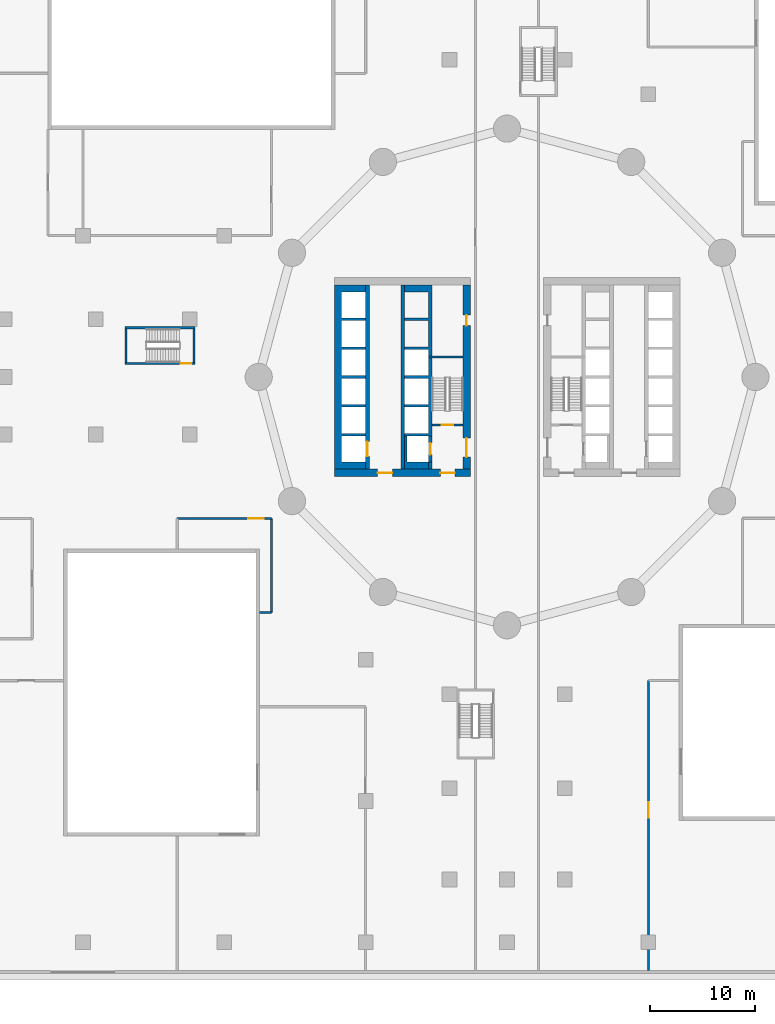
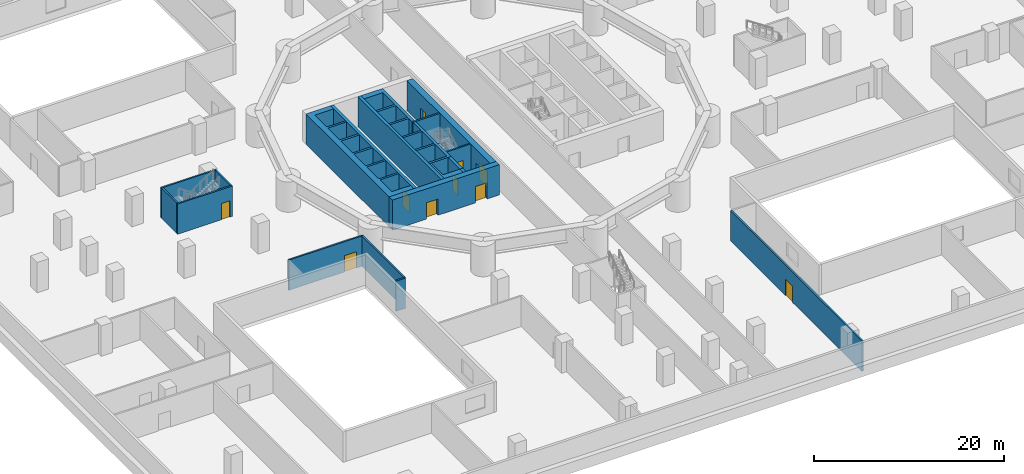
# One storey, part 5 of 16: 19 walls, 10 doors, 10 openings.
"""IFC4 building model written with IfcOpenShell, lengths in metres."""

from ifc_helpers import new_model, si_unit, direction, frame, frame_2d, origin, place, context, subcontext, project, spatial, polyline, rectangle, outline, extrude, material, layer, layer_set, type_object, element, fill, save


model = new_model("IFC4")

# Units and contexts
model_context = context("Model", 3, precision=1e-05, world=origin(), true_north=direction((0.0, 1.0)))
body_context = subcontext(model_context, "Body", "Model", "MODEL_VIEW")
ifc_project = project(units=[si_unit("LENGTHUNIT", "METRE"), si_unit("AREAUNIT", "SQUARE_METRE"), si_unit("VOLUMEUNIT", "CUBIC_METRE"), si_unit("PLANEANGLEUNIT", "RADIAN"), si_unit("MASSUNIT", "GRAM", prefix="KILO")], contexts=[model_context])

# Site, building, storey
site_placement = place(None, origin())
site = spatial("IfcSite", under=ifc_project, at=site_placement, CompositionType="ELEMENT")
building_placement = place(site_placement, origin())
building = spatial("IfcBuilding", under=site, at=building_placement, Name="Tamarind Cross Interchange Tower", CompositionType="ELEMENT")
storey_placement = place(building_placement, frame((0.0, 0.0, 25.0)))
storey = spatial("IfcBuildingStorey", under=building, at=storey_placement, Name="L04", CompositionType="ELEMENT", Elevation=25.0)

# Wall, openings, doors
ifc_material_1 = material(Name="Concrete C80", Category="concrete")
ifc_layer_1 = layer(ifc_material_1, 0.699951171875)
ifc_layer_set_1 = layer_set([ifc_layer_1], Name="Concrete C80")
wall_type_1 = type_object("IfcWallType", Name="Core wall 700 mm Concrete C80", PredefinedType="SHEAR", material=ifc_layer_set_1)
wall_1_placement = place(storey_placement, frame((-16.5, -9.14990234375, 0.0), z_axis=(0.0, 0.0, 1.0), x_axis=(1.0, 0.0, 0.0)))
wall_1 = element("IfcWall", 1, at=wall_1_placement, inside=storey, type_object=wall_type_1, Name="Core wall CWL-L04-W-S", PredefinedType="SHEAR", context=body_context, shape_type="SweptSolid", body=[
    extrude(rectangle(XDim=13.0, YDim=0.699951171875, at=frame_2d((6.5, 0.0))), origin(), (0.0, 0.0, 1.0), 3.89990234375),
])
opening_1_placement = place(wall_1_placement, frame((4.14990234375, 0.0, 0.0)))
opening_1 = element("IfcOpeningElement", 2, at=opening_1_placement, cuts=wall_1, Name="Opening DCW1", PredefinedType="OPENING", context=body_context, shape_type="SweptSolid", body=[
    extrude(rectangle(XDim=1.39990234375, YDim=2.10009765625, at=frame_2d((0.699951171875, 1.050048828125))), frame((0.0, 0.35986328125, 0.0), z_axis=(0.0, -1.0, 0.0), x_axis=(1.0, 0.0, 0.0)), (0.0, 0.0, 1.0), 0.719970703125),
])
opening_2_placement = place(wall_1_placement, frame((10.125, 0.0, 0.0)))
opening_2 = element("IfcOpeningElement", 3, at=opening_2_placement, cuts=wall_1, Name="Opening DCWF", PredefinedType="OPENING", context=body_context, shape_type="SweptSolid", body=[
    extrude(rectangle(XDim=1.39990234375, YDim=2.10009765625, at=frame_2d((0.699951171875, 1.050048828125))), frame((0.0, 0.35986328125, 0.0), z_axis=(0.0, -1.0, 0.0), x_axis=(1.0, 0.0, 0.0)), (0.0, 0.0, 1.0), 0.719970703125),
])
ifc_material_2 = material(Name="Steel, fire-resisting", Category="steel")
door_type_1 = type_object("IfcDoorType", Name="Core fire door 1400 x 2100 FD90", OperationType="SINGLE_SWING_LEFT", PredefinedType="DOOR", material=ifc_material_2)
door_1_placement = place(opening_1_placement, origin())
door_1 = element("IfcDoor", 4, at=door_1_placement, inside=storey, type_object=door_type_1, Name="L04 lift lobby door", OperationType="SINGLE_SWING_LEFT", OverallHeight=2.10009765625, OverallWidth=1.39990234375, PredefinedType="DOOR", context=body_context, shape_type="SweptSolid", body=[
    extrude(rectangle(XDim=1.39990234375, YDim=2.10009765625, at=frame_2d((0.699951171875, 1.050048828125))), frame((0.0, 0.02490234375, 0.0), z_axis=(0.0, -1.0, 0.0), x_axis=(1.0, 0.0, 0.0)), (0.0, 0.0, 1.0), 0.050048828125),
])
fill(opening_1, door_1)
door_2_placement = place(opening_2_placement, origin())
door_2 = element("IfcDoor", 5, at=door_2_placement, inside=storey, type_object=door_type_1, Name="L04 firefighting lobby end door", OperationType="SINGLE_SWING_LEFT", OverallHeight=2.10009765625, OverallWidth=1.39990234375, PredefinedType="DOOR", context=body_context, shape_type="SweptSolid", body=[
    extrude(rectangle(XDim=1.39990234375, YDim=2.10009765625, at=frame_2d((0.699951171875, 1.050048828125))), frame((0.0, 0.02490234375, 0.0), z_axis=(0.0, -1.0, 0.0), x_axis=(1.0, 0.0, 0.0)), (0.0, 0.0, 1.0), 0.050048828125),
])
fill(opening_2, door_2)

# Wall
wall_2_placement = place(storey_placement, origin())
element("IfcWall", 6, at=wall_2_placement, inside=storey, type_object=wall_type_1, Name="Core wall CWL-L04-W-A", PredefinedType="SHEAR", context=body_context, shape_type="SweptSolid", body=[
    extrude(outline(polyline([(-13.5, -8.800048828125), (-13.5, -8.125), (-15.800048828125, -8.125), (-15.800048828125, -5.625), (-13.5, -5.625), (-13.5, -5.375), (-15.800048828125, -5.375), (-15.800048828125, -2.875), (-13.5, -2.875), (-13.5, -2.625), (-15.800048828125, -2.625), (-15.800048828125, -0.125), (-13.5, -0.125), (-13.5, 0.125), (-15.800048828125, 0.125), (-15.800048828125, 2.625), (-13.5, 2.625), (-13.5, 2.875), (-15.800048828125, 2.875), (-15.800048828125, 5.375), (-13.5, 5.375), (-13.5, 5.625), (-15.800048828125, 5.625), (-15.800048828125, 8.125), (-13.5, 8.125), (-13.5, 8.800048828125), (-15.800048828125, 8.800048828125), (-16.5, 8.800048828125), (-16.5, -8.800048828125), (-15.800048828125, -8.800048828125), (-13.5, -8.800048828125)])), origin(), (0.0, 0.0, 1.0), 3.89990234375),
])

# Wall, openings, doors
wall_3_placement = place(storey_placement, frame((-3.85009765625, -8.800048828125, 0.0), z_axis=(0.0, 0.0, 1.0), x_axis=(0.0, 1.0, 0.0)))
wall_3 = element("IfcWall", 7, at=wall_3_placement, inside=storey, type_object=wall_type_1, Name="Core wall CWL-L04-W-IN", PredefinedType="SHEAR", context=body_context, shape_type="SweptSolid", body=[
    extrude(rectangle(XDim=17.60009765625, YDim=0.699951171875, at=frame_2d((8.800048828125, 0.0))), origin(), (0.0, 0.0, 1.0), 3.89990234375),
])
opening_3_placement = place(wall_3_placement, frame((1.14990234375, 0.0, 0.0)))
opening_3 = element("IfcOpeningElement", 8, at=opening_3_placement, cuts=wall_3, Name="Opening DCW4", PredefinedType="OPENING", context=body_context, shape_type="SweptSolid", body=[
    extrude(rectangle(XDim=1.800048828125, YDim=2.10009765625, at=frame_2d((0.89990234375, 1.050048828125))), frame((0.0, 0.35986328125, 0.0), z_axis=(0.0, -1.0, 0.0), x_axis=(1.0, 0.0, 0.0)), (0.0, 0.0, 1.0), 0.719970703125),
])
opening_4_placement = place(wall_3_placement, frame((13.699951171875, 0.0, 0.0)))
opening_4 = element("IfcOpeningElement", 9, at=opening_4_placement, cuts=wall_3, Name="Opening DCW5", PredefinedType="OPENING", context=body_context, shape_type="SweptSolid", body=[
    extrude(rectangle(XDim=1.0, YDim=2.10009765625, at=frame_2d((0.5, 1.050048828125))), frame((0.0, 0.35986328125, 0.0), z_axis=(0.0, -1.0, 0.0), x_axis=(1.0, 0.0, 0.0)), (0.0, 0.0, 1.0), 0.719970703125),
])
door_type_2 = type_object("IfcDoorType", Name="Core fire door 1000 x 2100 FD90", OperationType="SINGLE_SWING_LEFT", PredefinedType="DOOR", material=ifc_material_2)
door_3_placement = place(opening_4_placement, origin())
door_3 = element("IfcDoor", 10, at=door_3_placement, inside=storey, type_object=door_type_2, Name="L04 riser room door", OperationType="SINGLE_SWING_LEFT", OverallHeight=2.10009765625, OverallWidth=1.0, PredefinedType="DOOR", context=body_context, shape_type="SweptSolid", body=[
    extrude(rectangle(XDim=1.0, YDim=2.10009765625, at=frame_2d((0.5, 1.050048828125))), frame((0.0, 0.02490234375, 0.0), z_axis=(0.0, -1.0, 0.0), x_axis=(1.0, 0.0, 0.0)), (0.0, 0.0, 1.0), 0.050048828125),
])
fill(opening_4, door_3)
door_type_3 = type_object("IfcDoorType", Name="Core fire door 1800 x 2100 FD90", OperationType="SINGLE_SWING_LEFT", PredefinedType="DOOR", material=ifc_material_2)
door_4_placement = place(opening_3_placement, origin())
door_4 = element("IfcDoor", 11, at=door_4_placement, inside=storey, type_object=door_type_3, Name="L04 firefighting lobby door", OperationType="SINGLE_SWING_LEFT", OverallHeight=2.10009765625, OverallWidth=1.800048828125, PredefinedType="DOOR", context=body_context, shape_type="SweptSolid", body=[
    extrude(rectangle(XDim=1.800048828125, YDim=2.10009765625, at=frame_2d((0.89990234375, 1.050048828125))), frame((0.0, 0.02490234375, 0.0), z_axis=(0.0, -1.0, 0.0), x_axis=(1.0, 0.0, 0.0)), (0.0, 0.0, 1.0), 0.050048828125),
])
fill(opening_3, door_4)

# Walls
ifc_layer_2 = layer(ifc_material_1, 0.199951171875)
ifc_layer_set_2 = layer_set([ifc_layer_2], Name="Concrete C80")
wall_type_2 = type_object("IfcWallType", Name="Core web wall 200 mm Concrete C80", PredefinedType="SHEAR", material=ifc_layer_set_2)
wall_4_placement = place(storey_placement, frame((-7.5, 1.89990234375, 0.0), z_axis=(0.0, 0.0, 1.0), x_axis=(1.0, 0.0, 0.0)))
element("IfcWall", 12, at=wall_4_placement, inside=storey, type_object=wall_type_2, Name="Core wall CWL-L04-W-BD", PredefinedType="SHEAR", context=body_context, shape_type="SweptSolid", body=[
    extrude(rectangle(XDim=3.300048828125, YDim=0.199951171875, at=frame_2d((1.64990234375, 0.0))), origin(), (0.0, 0.0, 1.0), 3.89990234375),
])
ifc_layer_3 = layer(ifc_material_1, 0.35009765625)
ifc_layer_set_3 = layer_set([ifc_layer_3], Name="Concrete C80")
wall_type_3 = type_object("IfcWallType", Name="Core web wall 350 mm Concrete C80", PredefinedType="SHEAR", material=ifc_layer_set_3)
wall_5_placement = place(storey_placement, origin())
element("IfcWall", 13, at=wall_5_placement, inside=storey, type_object=wall_type_3, Name="Core wall CWL-L04-W-BN", PredefinedType="SHEAR", context=body_context, shape_type="SweptSolid", body=[
    extrude(outline(polyline([(-9.800048828125, -5.375), (-9.800048828125, -5.625), (-7.5, -5.625), (-7.14990234375, -5.625), (-7.14990234375, 8.800048828125), (-7.5, 8.800048828125), (-9.800048828125, 8.800048828125), (-9.800048828125, 8.125), (-7.5, 8.125), (-7.5, 5.625), (-9.800048828125, 5.625), (-9.800048828125, 5.375), (-7.5, 5.375), (-7.5, 2.875), (-9.800048828125, 2.875), (-9.800048828125, 2.625), (-7.5, 2.625), (-7.5, 0.125), (-9.800048828125, 0.125), (-9.800048828125, -0.125), (-7.5, -0.125), (-7.5, -2.625), (-9.800048828125, -2.625), (-9.800048828125, -2.875), (-7.5, -2.875), (-7.5, -5.375), (-9.800048828125, -5.375)])), origin(), (0.0, 0.0, 1.0), 3.89990234375),
])
wall_6_placement = place(storey_placement, origin())
element("IfcWall", 14, at=wall_6_placement, inside=storey, type_object=wall_type_3, Name="Core wall CWL-L04-W-BS", PredefinedType="SHEAR", context=body_context, shape_type="SweptSolid", body=[
    extrude(outline(polyline([(-7.5, -8.125), (-9.550048828125, -8.125), (-9.550048828125, -5.625), (-9.800048828125, -5.625), (-9.800048828125, -8.125), (-9.800048828125, -8.800048828125), (-7.5, -8.800048828125), (-7.5, -8.125)])), origin(), (0.0, 0.0, 1.0), 3.89990234375),
])
wall_7_placement = place(storey_placement, frame((-7.324951171875, -8.800048828125, 0.0), z_axis=(0.0, 0.0, 1.0), x_axis=(0.0, 1.0, 0.0)))
element("IfcWall", 15, at=wall_7_placement, inside=storey, type_object=wall_type_3, Name="Core wall CWL-L04-W-BW", PredefinedType="SHEAR", context=body_context, shape_type="SweptSolid", body=[
    extrude(rectangle(XDim=0.675048828125, YDim=0.35009765625, at=frame_2d((0.33740234375, 0.0))), origin(), (0.0, 0.0, 1.0), 3.89990234375),
])

# Wall, opening, door
wall_8_placement = place(storey_placement, frame((-13.324951171875, -8.800048828125, 0.0), z_axis=(0.0, 0.0, 1.0), x_axis=(0.0, 1.0, 0.0)))
wall_8 = element("IfcWall", 16, at=wall_8_placement, inside=storey, type_object=wall_type_3, Name="Core wall CWL-L04-W-LA", PredefinedType="SHEAR", context=body_context, shape_type="SweptSolid", body=[
    extrude(rectangle(XDim=17.60009765625, YDim=0.35009765625, at=frame_2d((8.800048828125, 0.0))), origin(), (0.0, 0.0, 1.0), 3.89990234375),
])
opening_5_placement = place(wall_8_placement, frame((1.22509765625, 0.0, 0.0)))
opening_5 = element("IfcOpeningElement", 17, at=opening_5_placement, cuts=wall_8, Name="Opening LD1L04", PredefinedType="OPENING", context=body_context, shape_type="SweptSolid", body=[
    extrude(rectangle(XDim=1.39990234375, YDim=2.10009765625, at=frame_2d((0.699951171875, 1.050048828125))), frame((0.0, 0.18505859375, 0.0), z_axis=(0.0, -1.0, 0.0), x_axis=(1.0, 0.0, 0.0)), (0.0, 0.0, 1.0), 0.3701171875),
])
ifc_material_3 = material(Name="Stainless steel panel", Category="steel")
door_type_4 = type_object("IfcDoorType", Name="Lift landing door 1400 x 2100 E 120", OperationType="SLIDING_TO_LEFT", PredefinedType="DOOR", material=ifc_material_3)
door_5_placement = place(opening_5_placement, origin())
door_5 = element("IfcDoor", 18, at=door_5_placement, inside=storey, type_object=door_type_4, Name="L04 landing door LF1", OperationType="SLIDING_TO_LEFT", OverallHeight=2.10009765625, OverallWidth=1.39990234375, PredefinedType="DOOR", context=body_context, shape_type="SweptSolid", body=[
    extrude(rectangle(XDim=1.39990234375, YDim=2.10009765625, at=frame_2d((0.699951171875, 1.050048828125))), frame((0.0, 0.02490234375, 0.0), z_axis=(0.0, -1.0, 0.0), x_axis=(1.0, 0.0, 0.0)), (0.0, 0.0, 1.0), 0.050048828125),
])
fill(opening_5, door_5)

# Wall
wall_9_placement = place(storey_placement, frame((-9.97509765625, -8.800048828125, 0.0), z_axis=(0.0, 0.0, 1.0), x_axis=(0.0, 1.0, 0.0)))
element("IfcWall", 19, at=wall_9_placement, inside=storey, type_object=wall_type_3, Name="Core wall CWL-L04-W-LB", PredefinedType="SHEAR", context=body_context, shape_type="SweptSolid", body=[
    extrude(rectangle(XDim=17.60009765625, YDim=0.35009765625, at=frame_2d((8.800048828125, 0.0))), origin(), (0.0, 0.0, 1.0), 3.89990234375),
])

# Wall, opening, door
wall_10_placement = place(storey_placement, frame((-7.324951171875, -8.125, 0.0), z_axis=(0.0, 0.0, 1.0), x_axis=(0.0, 1.0, 0.0)))
wall_10 = element("IfcWall", 20, at=wall_10_placement, inside=storey, type_object=wall_type_3, Name="Core wall CWL-L04-W-FF", PredefinedType="SHEAR", context=body_context, shape_type="SweptSolid", body=[
    extrude(rectangle(XDim=2.5, YDim=0.35009765625, at=frame_2d((1.25, 0.0))), origin(), (0.0, 0.0, 1.0), 3.89990234375),
])
opening_6_placement = place(wall_10_placement, frame((0.699951171875, 0.0, 0.0)))
opening_6 = element("IfcOpeningElement", 21, at=opening_6_placement, cuts=wall_10, Name="Opening LD7L04", PredefinedType="OPENING", context=body_context, shape_type="SweptSolid", body=[
    extrude(rectangle(XDim=1.10009765625, YDim=2.10009765625, at=frame_2d((0.550048828125, 1.050048828125))), frame((0.0, 0.18505859375, 0.0), z_axis=(0.0, -1.0, 0.0), x_axis=(1.0, 0.0, 0.0)), (0.0, 0.0, 1.0), 0.3701171875),
])
door_type_5 = type_object("IfcDoorType", Name="Lift landing door 1100 x 2100 E 120", OperationType="SLIDING_TO_LEFT", PredefinedType="DOOR", material=ifc_material_3)
door_6_placement = place(opening_6_placement, origin())
door_6 = element("IfcDoor", 22, at=door_6_placement, inside=storey, type_object=door_type_5, Name="L04 landing door LF7", OperationType="SLIDING_TO_LEFT", OverallHeight=2.10009765625, OverallWidth=1.10009765625, PredefinedType="DOOR", context=body_context, shape_type="SweptSolid", body=[
    extrude(rectangle(XDim=1.10009765625, YDim=2.10009765625, at=frame_2d((0.550048828125, 1.050048828125))), frame((0.0, 0.02490234375, 0.0), z_axis=(0.0, -1.0, 0.0), x_axis=(1.0, 0.0, 0.0)), (0.0, 0.0, 1.0), 0.050048828125),
])
fill(opening_6, door_6)

ifc_material_4 = material(Name="Masonry partition, fire-rated", Category="masonry")
ifc_layer_4 = layer(ifc_material_4, 0.199951171875)
ifc_layer_set_4 = layer_set([ifc_layer_4], Name="Masonry partition, fire-rated")
wall_type_4 = type_object("IfcWallType", Name="Fire partition 200 EI 120", PredefinedType="PARTITIONING", material=ifc_layer_set_4)
wall_11_placement = place(storey_placement, frame((-31.5, -13.5, 0.0), z_axis=(0.0, 0.0, 1.0), x_axis=(1.0, 0.0, 0.0)))
wall_11 = element("IfcWall", 23, at=wall_11_placement, inside=storey, type_object=wall_type_4, Name="L04 partition 23", PredefinedType="PARTITIONING", context=body_context, shape_type="SweptSolid", body=[
    extrude(rectangle(XDim=9.0, YDim=0.199951171875, at=frame_2d((4.5, 0.0))), origin(), (0.0, 0.0, 1.0), 3.89990234375),
])
opening_7_placement = place(wall_11_placement, frame((6.764892578125, 0.0, 0.0)))
opening_7 = element("IfcOpeningElement", 24, at=opening_7_placement, cuts=wall_11, Name="Opening DL04-15", PredefinedType="OPENING", context=body_context, shape_type="SweptSolid", body=[
    extrude(rectangle(XDim=1.5, YDim=2.10009765625, at=frame_2d((0.75, 1.050048828125))), frame((0.0, 0.10986328125, 0.0), z_axis=(0.0, -1.0, 0.0), x_axis=(1.0, 0.0, 0.0)), (0.0, 0.0, 1.0), 0.219970703125),
])
door_type_6 = type_object("IfcDoorType", Name="Podium door 1500 x 2100 FD90", OperationType="SINGLE_SWING_LEFT", PredefinedType="DOOR", material=ifc_material_2)
door_7_placement = place(opening_7_placement, origin())
door_7 = element("IfcDoor", 25, at=door_7_placement, inside=storey, type_object=door_type_6, Name="L04 door Electrical Switch Room 0414", OperationType="SINGLE_SWING_LEFT", OverallHeight=2.10009765625, OverallWidth=1.5, PredefinedType="DOOR", context=body_context, shape_type="SweptSolid", body=[
    extrude(rectangle(XDim=1.5, YDim=2.10009765625, at=frame_2d((0.75, 1.050048828125))), frame((0.0, 0.02490234375, 0.0), z_axis=(0.0, -1.0, 0.0), x_axis=(1.0, 0.0, 0.0)), (0.0, 0.0, 1.0), 0.050048828125),
])
fill(opening_7, door_7)

# Walls
wall_12_placement = place(storey_placement, frame((-22.5, -22.5, 0.0), z_axis=(0.0, 0.0, 1.0), x_axis=(0.0, 1.0, 0.0)))
element("IfcWall", 26, at=wall_12_placement, inside=storey, type_object=wall_type_4, Name="L04 partition 24", PredefinedType="PARTITIONING", context=body_context, shape_type="SweptSolid", body=[
    extrude(rectangle(XDim=9.0, YDim=0.199951171875, at=frame_2d((4.5, 0.0))), origin(), (0.0, 0.0, 1.0), 3.89990234375),
])
wall_13_placement = place(storey_placement, frame((-23.6201171875, -22.5, 0.0), z_axis=(0.0, 0.0, 1.0), x_axis=(1.0, 0.0, 0.0)))
element("IfcWall", 27, at=wall_13_placement, inside=storey, type_object=wall_type_4, Name="L04 partition 25", PredefinedType="PARTITIONING", context=body_context, shape_type="SweptSolid", body=[
    extrude(rectangle(XDim=1.1201171875, YDim=0.199951171875, at=frame_2d((0.56005859375, 0.0))), origin(), (0.0, 0.0, 1.0), 3.89990234375),
])

# Wall, opening, door
wall_14_placement = place(storey_placement, frame((13.5, -56.698974609375, 0.0), z_axis=(0.0, 0.0, 1.0), x_axis=(0.0, 1.0, 0.0)))
wall_14 = element("IfcWall", 28, at=wall_14_placement, inside=storey, type_object=wall_type_4, Name="L04 partition 35", PredefinedType="PARTITIONING", context=body_context, shape_type="SweptSolid", body=[
    extrude(rectangle(XDim=27.698974609375, YDim=0.199951171875, at=frame_2d((13.849609375, 0.0))), origin(), (0.0, 0.0, 1.0), 3.89990234375),
])
opening_8_placement = place(wall_14_placement, frame((14.583984375, 0.0, 0.0)))
opening_8 = element("IfcOpeningElement", 29, at=opening_8_placement, cuts=wall_14, Name="Opening DL04-23", PredefinedType="OPENING", context=body_context, shape_type="SweptSolid", body=[
    extrude(rectangle(XDim=1.5, YDim=2.10009765625, at=frame_2d((0.75, 1.050048828125))), frame((0.0, 0.10986328125, 0.0), z_axis=(0.0, -1.0, 0.0), x_axis=(1.0, 0.0, 0.0)), (0.0, 0.0, 1.0), 0.219970703125),
])
door_type_7 = type_object("IfcDoorType", Name="Podium door 1500 x 2100 FD60", OperationType="SINGLE_SWING_LEFT", PredefinedType="DOOR", material=ifc_material_2)
door_8_placement = place(opening_8_placement, origin())
door_8 = element("IfcDoor", 30, at=door_8_placement, inside=storey, type_object=door_type_7, Name="L04 door Pump Room 0423", OperationType="SINGLE_SWING_LEFT", OverallHeight=2.10009765625, OverallWidth=1.5, PredefinedType="DOOR", context=body_context, shape_type="SweptSolid", body=[
    extrude(rectangle(XDim=1.5, YDim=2.10009765625, at=frame_2d((0.75, 1.050048828125))), frame((0.0, 0.02490234375, 0.0), z_axis=(0.0, -1.0, 0.0), x_axis=(1.0, 0.0, 0.0)), (0.0, 0.0, 1.0), 0.050048828125),
])
fill(opening_8, door_8)

ifc_material_5 = material(Name="Concrete C40", Category="concrete")
ifc_layer_5 = layer(ifc_material_5, 0.199951171875)
ifc_layer_set_5 = layer_set([ifc_layer_5], Name="Concrete C40")
wall_type_5 = type_object("IfcWallType", Name="Stair shaft wall 200 mm Concrete C40", PredefinedType="SHEAR", material=ifc_layer_set_5)
wall_15_placement = place(storey_placement, frame((-7.14990234375, -4.60009765625, 0.0), z_axis=(0.0, 0.0, 1.0), x_axis=(1.0, 0.0, 0.0)))
wall_15 = element("IfcWall", 31, at=wall_15_placement, inside=storey, type_object=wall_type_5, Name="Core wall CWL-L04-W-SD", PredefinedType="SHEAR", context=body_context, shape_type="SweptSolid", body=[
    extrude(rectangle(XDim=2.949951171875, YDim=0.199951171875, at=frame_2d((1.47509765625, 0.0))), origin(), (0.0, 0.0, 1.0), 3.89990234375),
])
opening_9_placement = place(wall_15_placement, frame((0.925048828125, 0.0, 0.0)))
opening_9 = element("IfcOpeningElement", 32, at=opening_9_placement, cuts=wall_15, Name="Opening DCW6", PredefinedType="OPENING", context=body_context, shape_type="SweptSolid", body=[
    extrude(rectangle(XDim=1.10009765625, YDim=2.10009765625, at=frame_2d((0.550048828125, 1.050048828125))), frame((0.0, 0.10986328125, 0.0), z_axis=(0.0, -1.0, 0.0), x_axis=(1.0, 0.0, 0.0)), (0.0, 0.0, 1.0), 0.219970703125),
])
door_type_8 = type_object("IfcDoorType", Name="Core fire door 1100 x 2100 FD90", OperationType="SINGLE_SWING_LEFT", PredefinedType="DOOR", material=ifc_material_2)
door_9_placement = place(opening_9_placement, origin())
door_9 = element("IfcDoor", 33, at=door_9_placement, inside=storey, type_object=door_type_8, Name="L04 stair door", OperationType="SINGLE_SWING_LEFT", OverallHeight=2.10009765625, OverallWidth=1.10009765625, PredefinedType="DOOR", context=body_context, shape_type="SweptSolid", body=[
    extrude(rectangle(XDim=1.10009765625, YDim=2.10009765625, at=frame_2d((0.550048828125, 1.050048828125))), frame((0.0, 0.02490234375, 0.0), z_axis=(0.0, -1.0, 0.0), x_axis=(1.0, 0.0, 0.0)), (0.0, 0.0, 1.0), 0.050048828125),
])
fill(opening_9, door_9)

wall_16_placement = place(storey_placement, frame((-29.800048828125, 1.300048828125, 0.0), z_axis=(0.0, 0.0, 1.0), x_axis=(-1.0, 0.0, 0.0)))
wall_16 = element("IfcWall", 34, at=wall_16_placement, inside=storey, type_object=wall_type_5, Name="Core wall CWL-L04-ST5-H", PredefinedType="SHEAR", context=body_context, shape_type="SweptSolid", body=[
    extrude(rectangle(XDim=6.699951171875, YDim=0.199951171875, at=frame_2d((3.35009765625, 0.0))), origin(), (0.0, 0.0, 1.0), 3.89990234375),
])
opening_10_placement = place(wall_16_placement, frame((0.35009765625, 0.0, 0.0)))
opening_10 = element("IfcOpeningElement", 35, at=opening_10_placement, cuts=wall_16, Name="Opening ST5L04", PredefinedType="OPENING", context=body_context, shape_type="SweptSolid", body=[
    extrude(rectangle(XDim=1.0, YDim=2.10009765625, at=frame_2d((0.5, 1.050048828125))), frame((0.0, 0.10986328125, 0.0), z_axis=(0.0, -1.0, 0.0), x_axis=(1.0, 0.0, 0.0)), (0.0, 0.0, 1.0), 0.219970703125),
])
door_10_placement = place(opening_10_placement, origin())
door_10 = element("IfcDoor", 36, at=door_10_placement, inside=storey, type_object=door_type_2, Name="L04 stair door ST5", OperationType="SINGLE_SWING_LEFT", OverallHeight=2.10009765625, OverallWidth=1.0, PredefinedType="DOOR", context=body_context, shape_type="SweptSolid", body=[
    extrude(rectangle(XDim=1.0, YDim=2.10009765625, at=frame_2d((0.5, 1.050048828125))), frame((0.0, 0.02490234375, 0.0), z_axis=(0.0, -1.0, 0.0), x_axis=(1.0, 0.0, 0.0)), (0.0, 0.0, 1.0), 0.050048828125),
])
fill(opening_10, door_10)

# Walls
wall_17_placement = place(storey_placement, frame((-29.800048828125, 4.699951171875, 0.0), z_axis=(0.0, 0.0, 1.0), x_axis=(-1.0, 0.0, 0.0)))
element("IfcWall", 37, at=wall_17_placement, inside=storey, type_object=wall_type_5, Name="Core wall CWL-L04-ST5-C", PredefinedType="SHEAR", context=body_context, shape_type="SweptSolid", body=[
    extrude(rectangle(XDim=6.699951171875, YDim=0.199951171875, at=frame_2d((3.35009765625, 0.0))), origin(), (0.0, 0.0, 1.0), 3.89990234375),
])
wall_18_placement = place(storey_placement, frame((-29.89990234375, 4.60009765625, 0.0), z_axis=(0.0, 0.0, 1.0), x_axis=(0.0, -1.0, 0.0)))
element("IfcWall", 38, at=wall_18_placement, inside=storey, type_object=wall_type_5, Name="Core wall CWL-L04-ST5-CE", PredefinedType="SHEAR", context=body_context, shape_type="SweptSolid", body=[
    extrude(rectangle(XDim=3.2001953125, YDim=0.199951171875, at=frame_2d((1.60009765625, 0.0))), origin(), (0.0, 0.0, 1.0), 3.89990234375),
])
wall_19_placement = place(storey_placement, origin())
element("IfcWall", 39, at=wall_19_placement, inside=storey, type_object=wall_type_5, Name="Core wall CWL-L04-ST5-CF", PredefinedType="SHEAR", context=body_context, shape_type="SweptSolid", body=[
    extrude(outline(polyline([(-36.300048828125, 4.60009765625), (-36.5, 4.60009765625), (-36.5, 1.39990234375), (-36.300048828125, 1.39990234375), (-36.300048828125, 4.60009765625)])), origin(), (0.0, 0.0, 1.0), 3.89990234375),
])

save(model, "model.ifc")
